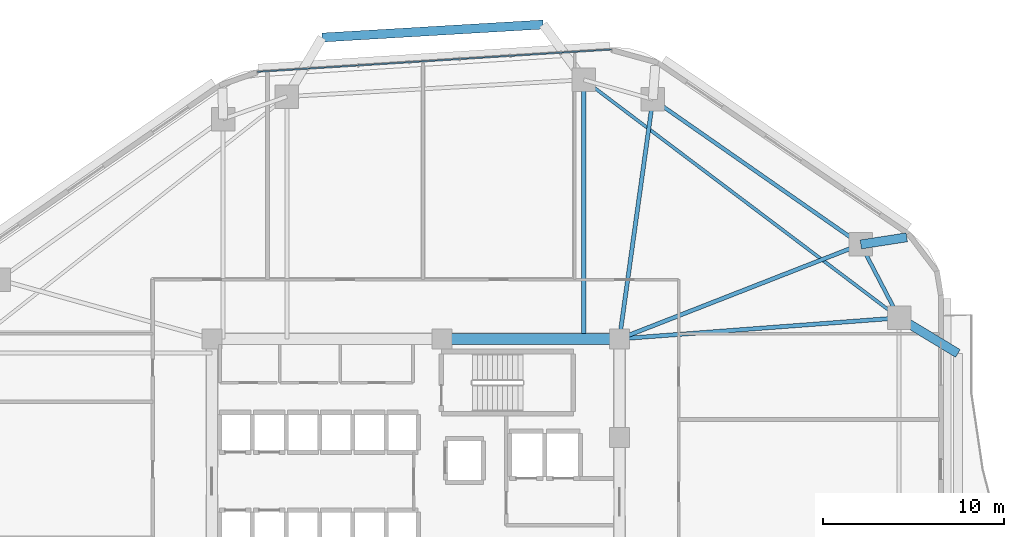
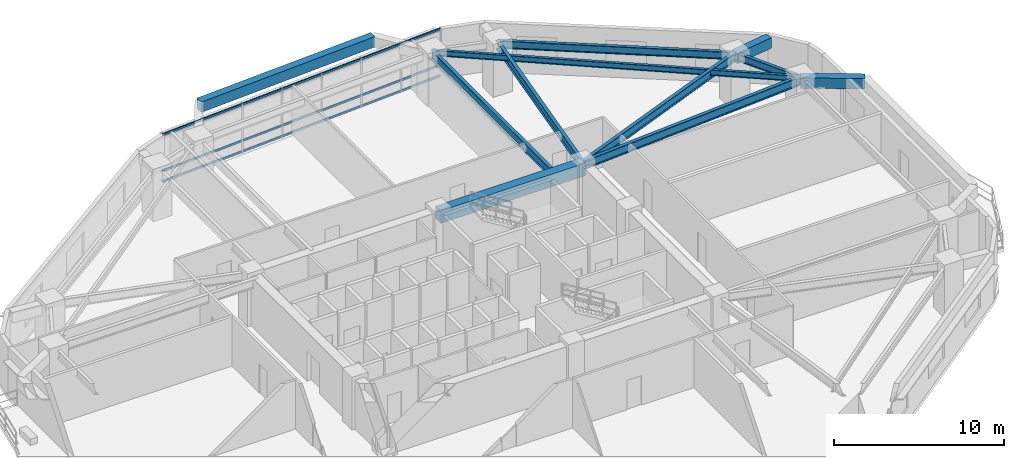
# One storey, part 4 of 14: 11 beams, 3 members, 1 element without a shape of its own.
"""IFC4 building model written with IfcOpenShell, lengths in metres."""

from ifc_helpers import new_model, si_unit, direction, frame, origin, origin_2d, place, context, subcontext, project, spatial, rectangle, hollow_rectangle, i_section, extrude, material, material_profile, profile_set, type_object, element, aggregate, save


model = new_model("IFC4")

# Units and contexts
model_context = context("Model", 3, precision=1e-05, world=origin(), true_north=direction((0.0, 1.0)))
body_context = subcontext(model_context, "Body", "Model", "MODEL_VIEW")
ifc_project = project(units=[si_unit("LENGTHUNIT", "METRE"), si_unit("AREAUNIT", "SQUARE_METRE"), si_unit("VOLUMEUNIT", "CUBIC_METRE"), si_unit("PLANEANGLEUNIT", "RADIAN"), si_unit("MASSUNIT", "GRAM", prefix="KILO")], contexts=[model_context])

# Site, building, storey
site_placement = place(None, origin())
site = spatial("IfcSite", under=ifc_project, at=site_placement, CompositionType="ELEMENT")
building_placement = place(site_placement, origin())
building = spatial("IfcBuilding", under=site, at=building_placement, Name="Zulverin Broadcast Headquarters", CompositionType="ELEMENT")
storey_placement = place(building_placement, frame((0.0, 0.0, 55.39990234375)))
storey = spatial("IfcBuildingStorey", under=building, at=storey_placement, Name="L13", CompositionType="ELEMENT", Elevation=55.39990234375)

# Beams
ifc_material_1 = material(Name="Concrete C60/75", Category="concrete")
ifc_material_profile_1 = material_profile(ifc_material_1, rectangle(XDim=0.60009765625, YDim=0.89990234375, at=origin_2d()), Name="Concrete C60/75", Category="concrete")
ifc_profile_set_1 = profile_set([ifc_material_profile_1], Name="Concrete C60/75")
beam_type_1 = type_object("IfcBeamType", Name="BM-CB-600x900", PredefinedType="LINTEL", material=ifc_profile_set_1)
beam_1_placement = place(storey_placement, frame((48.27490234375, 33.074951171875, 3.0751953125), z_axis=(-1.0, 0.0, 0.0), x_axis=(0.0, -1.0, 0.0)))
element("IfcBeam", 1, at=beam_1_placement, inside=storey, type_object=beam_type_1, Name="L13 Core Coupling Girder K05-K06", PredefinedType="LINTEL", context=body_context, shape_type="SweptSolid", body=[
    extrude(rectangle(XDim=0.60009765625, YDim=0.89990234375, at=origin_2d()), origin(), (0.0, 0.0, 1.0), 9.824951171875),
])
ifc_material_2 = material(Name="Concrete C40/50", Category="concrete")
ifc_material_profile_2 = material_profile(ifc_material_2, rectangle(XDim=0.5, YDim=0.75, at=origin_2d()), Name="Concrete C40/50", Category="concrete")
ifc_profile_set_2 = profile_set([ifc_material_profile_2], Name="Concrete C40/50")
beam_type_2 = type_object("IfcBeamType", Name="BM-RC-500x750", PredefinedType="BEAM", material=ifc_profile_set_2)
beam_2_placement = place(storey_placement, frame((61.630126953125, 38.298583984375, 3.150146484375), z_axis=(0.988133444256, 0.153597839639, 0.0), x_axis=(-0.153597839639, 0.988133444256, 0.0)))
element("IfcBeam", 2, at=beam_2_placement, inside=storey, type_object=beam_type_2, Name="L14 Plate Overhang Back-Spanned Beam OVR-07", PredefinedType="BEAM", context=body_context, shape_type="SweptSolid", body=[
    extrude(rectangle(XDim=0.5, YDim=0.75, at=origin_2d()), origin(), (0.0, 0.0, 1.0), 2.57177734375),
])
beam_3_placement = place(storey_placement, frame((63.75, 34.235107421875, 3.150146484375), z_axis=(0.855593685746, -0.517647993246, 0.0), x_axis=(0.517647993246, 0.855593685746, 0.0)))
element("IfcBeam", 3, at=beam_3_placement, inside=storey, type_object=beam_type_2, Name="L14 Balcony Column-Framed Cantilever BAL_E-2", PredefinedType="BEAM", context=body_context, shape_type="SweptSolid", body=[
    extrude(rectangle(XDim=0.5, YDim=0.75, at=origin_2d()), origin(), (0.0, 0.0, 1.0), 3.800048828125),
])
beam_4_placement = place(storey_placement, frame((44.049072265625, 50.46923828125, 3.150146484375), z_axis=(-0.998269148199, -0.058810779227, 0.0), x_axis=(0.058810779227, -0.998269148199, 0.0)))
element("IfcBeam", 4, at=beam_4_placement, inside=storey, type_object=beam_type_2, Name="L14 Balcony Outer Edge Trimmer Beam BAL_N", PredefinedType="BEAM", context=body_context, shape_type="SweptSolid", body=[
    extrude(rectangle(XDim=0.5, YDim=0.75, at=origin_2d()), origin(), (0.0, 0.0, 1.0), 12.254638671875),
])
ifc_material_3 = material(Name="Structural steel S355JR", Category="steel")
ifc_material_profile_3 = material_profile(ifc_material_3, i_section(OverallWidth=0.179443359375, OverallDepth=0.412841796875, WebThickness=0.009521484375, FlangeThickness=0.01611328125, at=origin_2d()), Name="Structural steel S355JR", Category="steel")
ifc_profile_set_3 = profile_set([ifc_material_profile_3], Name="Structural steel S355JR")
beam_type_3 = type_object("IfcBeamType", Name="BM-UB-406", PredefinedType="JOIST", material=ifc_profile_set_3)
beam_5_placement = place(storey_placement, frame((63.75, 34.235107421875, 3.318603515625), z_axis=(-0.798058136838, 0.602580459546, 0.0), x_axis=(-0.602580459546, -0.798058136838, 0.0)))
element("IfcBeam", 5, at=beam_5_placement, inside=storey, type_object=beam_type_3, Name="L13 Chordal Floor Joist J-02", PredefinedType="JOIST", context=body_context, shape_type="SweptSolid", body=[
    extrude(i_section(OverallWidth=0.179443359375, OverallDepth=0.412841796875, WebThickness=0.009521484375, FlangeThickness=0.01611328125, at=origin_2d()), origin(), (0.0, 0.0, 1.0), 21.86279296875),
])
ifc_material_profile_4 = material_profile(ifc_material_3, i_section(OverallWidth=0.2119140625, OverallDepth=0.54443359375, WebThickness=0.0126953125, FlangeThickness=0.021240234375, at=origin_2d()), Name="Structural steel S355JR", Category="steel")
ifc_profile_set_4 = profile_set([ifc_material_profile_4], Name="Structural steel S355JR")
beam_type_4 = type_object("IfcBeamType", Name="BM-UB-533", PredefinedType="SPANDREL", material=ifc_profile_set_4)
beam_6_placement = place(storey_placement, frame((63.75, 34.235107421875, 3.252685546875), z_axis=(-0.462531417359, 0.886602891917, 0.0), x_axis=(-0.886602891917, -0.462531417359, 0.0)))
element("IfcBeam", 6, at=beam_6_placement, inside=storey, type_object=beam_type_4, Name="L13 Perimeter Spandrel Beam SP-06", PredefinedType="SPANDREL", context=body_context, shape_type="SweptSolid", body=[
    extrude(i_section(OverallWidth=0.2119140625, OverallDepth=0.54443359375, WebThickness=0.0126953125, FlangeThickness=0.021240234375, at=origin_2d()), origin(), (0.0, 0.0, 1.0), 4.583251953125),
])
beam_7_placement = place(storey_placement, frame((61.630126953125, 38.298583984375, 3.252685546875), z_axis=(-0.820183915206, 0.5720999434, 0.0), x_axis=(-0.5720999434, -0.820183915206, 0.0)))
element("IfcBeam", 7, at=beam_7_placement, inside=storey, type_object=beam_type_4, Name="L13 Perimeter Spandrel Beam SP-07", PredefinedType="SPANDREL", context=body_context, shape_type="SweptSolid", body=[
    extrude(i_section(OverallWidth=0.2119140625, OverallDepth=0.54443359375, WebThickness=0.0126953125, FlangeThickness=0.021240234375, at=origin_2d()), origin(), (0.0, 0.0, 1.0), 14.03125),
])
ifc_material_profile_5 = material_profile(ifc_material_3, i_section(OverallWidth=0.230224609375, OverallDepth=0.6171875, WebThickness=0.01318359375, FlangeThickness=0.022216796875, at=origin_2d()), Name="Structural steel S355JR", Category="steel")
ifc_profile_set_5 = profile_set([ifc_material_profile_5], Name="Structural steel S355JR")
beam_type_5 = type_object("IfcBeamType", Name="BM-UB-610", PredefinedType="BEAM", material=ifc_profile_set_5)
beam_8_placement = place(storey_placement, frame((48.27490234375, 33.074951171875, 3.216552734375), z_axis=(0.997201597387, 0.074759442003, 0.0), x_axis=(-0.074759442003, 0.997201597387, 0.0)))
element("IfcBeam", 8, at=beam_8_placement, inside=storey, type_object=beam_type_5, Name="L13 Radial Primary Floor Beam RB-06", PredefinedType="BEAM", context=body_context, shape_type="SweptSolid", body=[
    extrude(i_section(OverallWidth=0.230224609375, OverallDepth=0.6171875, WebThickness=0.01318359375, FlangeThickness=0.022216796875, at=origin_2d()), origin(), (0.0, 0.0, 1.0), 15.5185546875),
])
beam_9_placement = place(storey_placement, frame((48.27490234375, 33.074951171875, 3.216552734375), z_axis=(0.931297778153, 0.364258765723, 0.0), x_axis=(-0.364258765723, 0.931297778153, 0.0)))
element("IfcBeam", 9, at=beam_9_placement, inside=storey, type_object=beam_type_5, Name="L13 Radial Primary Floor Beam RB-07", PredefinedType="BEAM", context=body_context, shape_type="SweptSolid", body=[
    extrude(i_section(OverallWidth=0.230224609375, OverallDepth=0.6171875, WebThickness=0.01318359375, FlangeThickness=0.022216796875, at=origin_2d()), origin(), (0.0, 0.0, 1.0), 14.34033203125),
])
beam_10_placement = place(storey_placement, frame((48.27490234375, 33.074951171875, 3.216552734375), z_axis=(0.138045758193, 0.990425852169, 0.0), x_axis=(-0.990425852169, 0.138045758193, 0.0)))
element("IfcBeam", 10, at=beam_10_placement, inside=storey, type_object=beam_type_5, Name="L13 Radial Primary Floor Beam RB-08", PredefinedType="BEAM", context=body_context, shape_type="SweptSolid", body=[
    extrude(i_section(OverallWidth=0.230224609375, OverallDepth=0.6171875, WebThickness=0.01318359375, FlangeThickness=0.022216796875, at=origin_2d()), origin(), (0.0, 0.0, 1.0), 13.379150390625),
])
beam_11_placement = place(storey_placement, frame((46.30224609375, 33.074951171875, 3.216552734375), z_axis=(0.0, 1.0, 0.0), x_axis=(-1.0, 0.0, 0.0)))
element("IfcBeam", 11, at=beam_11_placement, inside=storey, type_object=beam_type_5, Name="L13 Radial Primary Floor Beam RB-09", PredefinedType="BEAM", context=body_context, shape_type="SweptSolid", body=[
    extrude(i_section(OverallWidth=0.230224609375, OverallDepth=0.6171875, WebThickness=0.01318359375, FlangeThickness=0.022216796875, at=origin_2d()), origin(), (0.0, 0.0, 1.0), 14.334228515625),
])

# Curtain wall, members
ifc_material_4 = material(Name="Low-zone ribbon unitised curtain wall", Category="aluminium")
curtain_wall_type = type_object("IfcCurtainWallType", Name="CW-TWR-LOW", PredefinedType="USERDEFINED", material=ifc_material_4)
curtain_wall_placement = place(storey_placement, origin())
curtain_wall = element("IfcCurtainWall", 12, at=curtain_wall_placement, inside=storey, type_object=curtain_wall_type, Name="L13 Unitised Curtain Wall CW-L13-E5", ObjectType="UNITISED CURTAIN WALL", PredefinedType="USERDEFINED")
ifc_material_5 = material(Name="Anodized pale-metal aluminium alloy 6063-T6", Category="aluminium")
ifc_material_profile_6 = material_profile(ifc_material_5, hollow_rectangle(XDim=0.074951171875, YDim=0.14990234375, WallThickness=0.0048828125, at=origin_2d()), Name="Anodized pale-metal aluminium alloy 6063-T6", Category="aluminium")
ifc_profile_set_6 = profile_set([ifc_material_profile_6], Name="Anodized pale-metal aluminium alloy 6063-T6")
member_type = type_object("IfcMemberType", Name="CW-TRN-150", PredefinedType="USERDEFINED", material=ifc_profile_set_6)
member_1_placement = place(storey_placement, frame((47.83056640625, 49.08935546875, 0.0751953125), z_axis=(-0.998017725054, -0.062933460723, 0.0), x_axis=(0.062933460723, -0.998017725054, 0.0)))
member_1 = element("IfcMember", 13, at=member_1_placement, type_object=member_type, Name="CW-L13-E5 Transom 0", ObjectType="TRANSOM", PredefinedType="USERDEFINED", context=body_context, shape_type="SweptSolid", body=[
    extrude(hollow_rectangle(XDim=0.074951171875, YDim=0.14990234375, WallThickness=0.0048828125, at=origin_2d()), origin(), (0.0, 0.0, 1.0), 19.62939453125),
])
member_2_placement = place(storey_placement, frame((47.83056640625, 49.08935546875, 0.84619140625), z_axis=(-0.998017725054, -0.062933460723, 0.0), x_axis=(0.062933460723, -0.998017725054, 0.0)))
member_2 = element("IfcMember", 14, at=member_2_placement, type_object=member_type, Name="CW-L13-E5 Transom 1", ObjectType="TRANSOM", PredefinedType="USERDEFINED", context=body_context, shape_type="SweptSolid", body=[
    extrude(hollow_rectangle(XDim=0.074951171875, YDim=0.14990234375, WallThickness=0.0048828125, at=origin_2d()), origin(), (0.0, 0.0, 1.0), 19.62939453125),
])
member_3_placement = place(storey_placement, frame((47.83056640625, 49.08935546875, 3.4501953125), z_axis=(-0.998017725054, -0.062933460723, 0.0), x_axis=(0.062933460723, -0.998017725054, 0.0)))
member_3 = element("IfcMember", 15, at=member_3_placement, type_object=member_type, Name="CW-L13-E5 Transom 2", ObjectType="TRANSOM", PredefinedType="USERDEFINED", context=body_context, shape_type="SweptSolid", body=[
    extrude(hollow_rectangle(XDim=0.074951171875, YDim=0.14990234375, WallThickness=0.0048828125, at=origin_2d()), origin(), (0.0, 0.0, 1.0), 19.62939453125),
])
aggregate(curtain_wall, [member_1, member_2, member_3])

save(model, "model.ifc")
